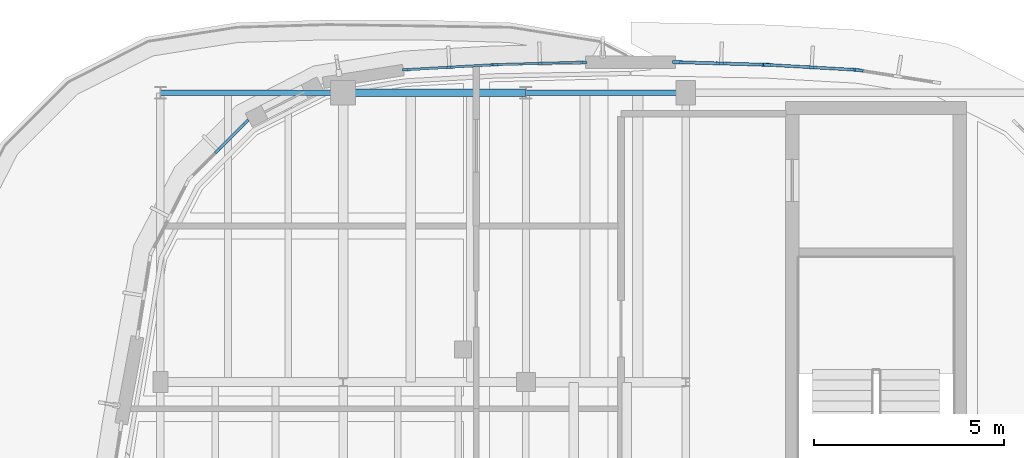
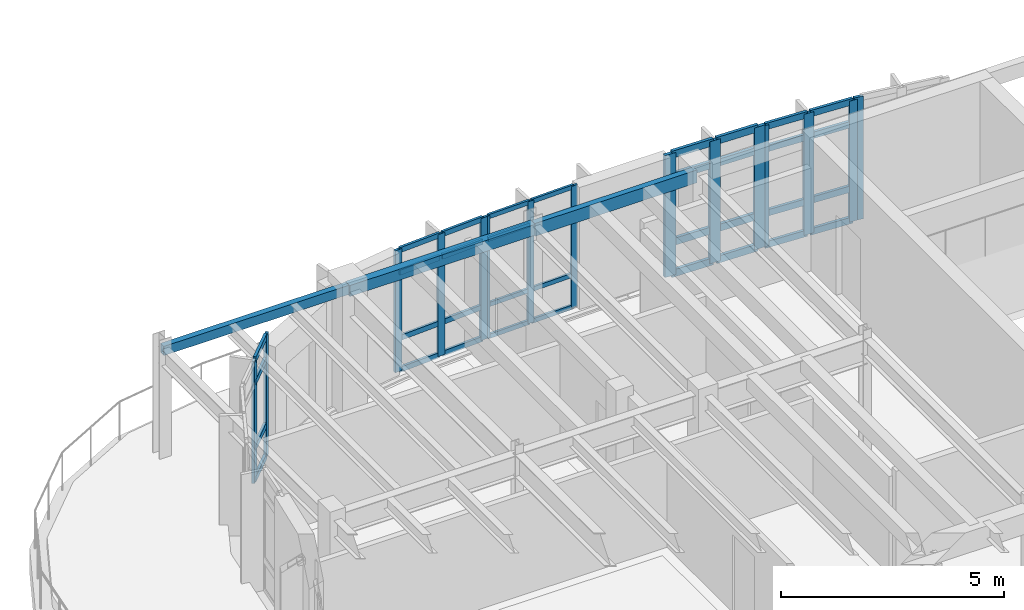
# One storey, part 14 of 30: 51 members, 3 beams, 6 elements without a shape of their own.
"""IFC4 building model written with IfcOpenShell, lengths in metres."""

from ifc_helpers import new_model, si_unit, direction, frame, origin, origin_2d, place, context, subcontext, project, spatial, rectangle, hollow_rectangle, extrude, material, material_profile, profile_set, type_object, element, aggregate, save


model = new_model("IFC4")

# Units and contexts
model_context = context("Model", 3, precision=1e-05, world=origin(), true_north=direction((0.0, 1.0)))
body_context = subcontext(model_context, "Body", "Model", "MODEL_VIEW")
ifc_project = project(units=[si_unit("LENGTHUNIT", "METRE"), si_unit("AREAUNIT", "SQUARE_METRE"), si_unit("VOLUMEUNIT", "CUBIC_METRE"), si_unit("PLANEANGLEUNIT", "RADIAN"), si_unit("MASSUNIT", "GRAM", prefix="KILO")], contexts=[model_context])

# Site, building, storey
site_placement = place(None, origin())
site = spatial("IfcSite", under=ifc_project, at=site_placement, CompositionType="ELEMENT")
building_placement = place(site_placement, origin())
building = spatial("IfcBuilding", under=site, at=building_placement, Name="Corveleigh Park Community Centre", CompositionType="ELEMENT")
storey_placement = place(building_placement, frame((0.0, 0.0, 12.60009765625)))
storey = spatial("IfcBuildingStorey", under=building, at=storey_placement, Name="L03", CompositionType="ELEMENT", Elevation=12.60009765625)

# Curtain wall, members
ifc_material_1 = material(Name="Anodised aluminium 6063-T6", Category="aluminium")
curtain_wall_type = type_object("IfcCurtainWallType", Name="CW-SYS-V4-L03", PredefinedType="NOTDEFINED", material=ifc_material_1)
curtain_wall_1_placement = place(storey_placement, origin())
curtain_wall_1 = element("IfcCurtainWall", 1, at=curtain_wall_1_placement, inside=storey, type_object=curtain_wall_type, Name="V4 L03 Curtain Wall 421", PredefinedType="NOTDEFINED")
ifc_material_profile_1 = material_profile(ifc_material_1, rectangle(XDim=0.06005859375, YDim=0.159912109375, at=origin_2d()), Name="ALU-M60x160", Category="aluminium")
ifc_profile_set_1 = profile_set([ifc_material_profile_1], Name="Anodised aluminium 6063-T6")
member_type_1 = type_object("IfcMemberType", Name="CWM-60x160", PredefinedType="MULLION", material=ifc_profile_set_1)
member_1_placement = place(storey_placement, frame((153.01708984375, 104.935791015625, 0.0), z_axis=(0.0, 0.0, 1.0), x_axis=(-0.028765070498, 0.999586199744, 0.0)))
member_1 = element("IfcMember", 2, at=member_1_placement, type_object=member_type_1, Name="CW09 mullion 1", PredefinedType="MULLION", context=body_context, shape_type="SweptSolid", body=[
    extrude(rectangle(XDim=0.06005859375, YDim=0.159912109375, at=origin_2d()), origin(), (0.0, 0.0, 1.0), 3.3369140625),
])
member_2_placement = place(storey_placement, frame((154.16845703125, 104.968994140625, 0.0), z_axis=(0.0, 0.0, 1.0), x_axis=(-0.028765070498, 0.999586199744, 0.0)))
member_2 = element("IfcMember", 3, at=member_2_placement, type_object=member_type_1, Name="CW09 mullion 2", PredefinedType="MULLION", context=body_context, shape_type="SweptSolid", body=[
    extrude(rectangle(XDim=0.06005859375, YDim=0.159912109375, at=origin_2d()), origin(), (0.0, 0.0, 1.0), 3.3369140625),
])
member_3_placement = place(storey_placement, frame((155.320068359375, 105.002197265625, 0.0), z_axis=(0.0, 0.0, 1.0), x_axis=(-0.028765070498, 0.999586199744, 0.0)))
member_3 = element("IfcMember", 4, at=member_3_placement, type_object=member_type_1, Name="CW09 mullion 3", PredefinedType="MULLION", context=body_context, shape_type="SweptSolid", body=[
    extrude(rectangle(XDim=0.06005859375, YDim=0.159912109375, at=origin_2d()), origin(), (0.0, 0.0, 1.0), 3.3369140625),
])

curtain_wall_2_placement = place(storey_placement, origin())
curtain_wall_2 = element("IfcCurtainWall", 5, at=curtain_wall_2_placement, inside=storey, type_object=curtain_wall_type, Name="V4 L03 Curtain Wall 422", PredefinedType="NOTDEFINED")
ifc_material_profile_2 = material_profile(ifc_material_1, rectangle(XDim=0.06494140625, YDim=0.179931640625, at=origin_2d()), Name="ALU-M65x180", Category="aluminium")
ifc_profile_set_2 = profile_set([ifc_material_profile_2], Name="Anodised aluminium 6063-T6")
member_type_2 = type_object("IfcMemberType", Name="CWM-65x180", PredefinedType="MULLION", material=ifc_profile_set_2)
member_4_placement = place(storey_placement, frame((150.6484375, 104.802734375, 0.0), z_axis=(0.0, 0.0, 1.0), x_axis=(-0.056433508651, 0.998406359706, 0.0)))
member_4 = element("IfcMember", 6, at=member_4_placement, type_object=member_type_2, Name="CW09 mullion 1", PredefinedType="MULLION", context=body_context, shape_type="SweptSolid", body=[
    extrude(rectangle(XDim=0.06494140625, YDim=0.179931640625, at=origin_2d()), origin(), (0.0, 0.0, 1.0), 3.3369140625),
])
member_5_placement = place(storey_placement, frame((151.79248046875, 104.867431640625, 0.0), z_axis=(0.0, 0.0, 1.0), x_axis=(-0.056433508651, 0.998406359706, 0.0)))
member_5 = element("IfcMember", 7, at=member_5_placement, type_object=member_type_2, Name="CW09 mullion 2", PredefinedType="MULLION", context=body_context, shape_type="SweptSolid", body=[
    extrude(rectangle(XDim=0.06494140625, YDim=0.179931640625, at=origin_2d()), origin(), (0.0, 0.0, 1.0), 3.3369140625),
])
member_6_placement = place(storey_placement, frame((152.9365234375, 104.93212890625, 0.0), z_axis=(0.0, 0.0, 1.0), x_axis=(-0.056433508651, 0.998406359706, 0.0)))
member_6 = element("IfcMember", 8, at=member_6_placement, type_object=member_type_2, Name="CW09 mullion 3", PredefinedType="MULLION", context=body_context, shape_type="SweptSolid", body=[
    extrude(rectangle(XDim=0.06494140625, YDim=0.179931640625, at=origin_2d()), origin(), (0.0, 0.0, 1.0), 3.3369140625),
])

curtain_wall_3_placement = place(storey_placement, origin())
curtain_wall_3 = element("IfcCurtainWall", 9, at=curtain_wall_3_placement, inside=storey, type_object=curtain_wall_type, Name="V4 L03 Curtain Wall 423", PredefinedType="NOTDEFINED")
ifc_material_profile_3 = material_profile(ifc_material_1, rectangle(XDim=0.070068359375, YDim=0.199951171875, at=origin_2d()), Name="ALU-M70x200", Category="aluminium")
ifc_profile_set_3 = profile_set([ifc_material_profile_3], Name="Anodised aluminium 6063-T6")
member_type_3 = type_object("IfcMemberType", Name="CWM-70x200", PredefinedType="MULLION", material=ifc_profile_set_3)
member_7_placement = place(storey_placement, frame((145.71142578125, 102.6884765625, 0.0), z_axis=(0.0, 0.0, 1.0), x_axis=(-0.707106781187, 0.707106781187, 0.0)))
member_7 = element("IfcMember", 10, at=member_7_placement, type_object=member_type_3, Name="CW09 mullion 2", PredefinedType="MULLION", context=body_context, shape_type="SweptSolid", body=[
    extrude(rectangle(XDim=0.070068359375, YDim=0.199951171875, at=origin_2d()), origin(), (0.0, 0.0, 1.0), 3.3369140625),
])
member_8_placement = place(storey_placement, frame((146.434326171875, 103.4111328125, 0.0), z_axis=(0.0, 0.0, 1.0), x_axis=(-0.707106781187, 0.707106781187, 0.0)))
member_8 = element("IfcMember", 11, at=member_8_placement, type_object=member_type_3, Name="CW09 mullion 3", PredefinedType="MULLION", context=body_context, shape_type="SweptSolid", body=[
    extrude(rectangle(XDim=0.070068359375, YDim=0.199951171875, at=origin_2d()), origin(), (0.0, 0.0, 1.0), 3.3369140625),
])

# Curtain wall, member
curtain_wall_4_placement = place(storey_placement, origin())
curtain_wall_4 = element("IfcCurtainWall", 12, at=curtain_wall_4_placement, inside=storey, type_object=curtain_wall_type, Name="V4 L03 Curtain Wall 418", PredefinedType="NOTDEFINED")
ifc_material_profile_4 = material_profile(ifc_material_1, rectangle(XDim=0.074951171875, YDim=0.219970703125, at=origin_2d()), Name="ALU-M75x220", Category="aluminium")
ifc_profile_set_4 = profile_set([ifc_material_profile_4], Name="Anodised aluminium 6063-T6")
member_type_4 = type_object("IfcMemberType", Name="CWM-75x220", PredefinedType="MULLION", material=ifc_profile_set_4)
member_9_placement = place(storey_placement, frame((162.552978515625, 104.791015625, 0.0), z_axis=(0.0, 0.0, 1.0), x_axis=(0.156419486996, 0.987690712768, 0.0)))
member_9 = element("IfcMember", 13, at=member_9_placement, type_object=member_type_4, Name="CW09 mullion 1", PredefinedType="MULLION", context=body_context, shape_type="SweptSolid", body=[
    extrude(rectangle(XDim=0.074951171875, YDim=0.219970703125, at=origin_2d()), origin(), (0.0, 0.0, 1.0), 3.35693359375),
])
aggregate(curtain_wall_4, [member_9])

# Curtain wall, members
curtain_wall_5_placement = place(storey_placement, origin())
curtain_wall_5 = element("IfcCurtainWall", 14, at=curtain_wall_5_placement, inside=storey, type_object=curtain_wall_type, Name="V4 L03 Curtain Wall 419", PredefinedType="NOTDEFINED")
ifc_material_profile_5 = material_profile(ifc_material_1, rectangle(XDim=0.080078125, YDim=0.25, at=origin_2d()), Name="ALU-M80x250", Category="aluminium")
ifc_profile_set_5 = profile_set([ifc_material_profile_5], Name="Anodised aluminium 6063-T6")
member_type_5 = type_object("IfcMemberType", Name="CWM-80x250", PredefinedType="MULLION", material=ifc_profile_set_5)
member_10_placement = place(storey_placement, frame((160.1708984375, 104.931640625, 0.0), z_axis=(0.0, 0.0, 1.0), x_axis=(0.056433508651, 0.998406359706, 0.0)))
member_10 = element("IfcMember", 15, at=member_10_placement, type_object=member_type_5, Name="CW09 mullion 1", PredefinedType="MULLION", context=body_context, shape_type="SweptSolid", body=[
    extrude(rectangle(XDim=0.080078125, YDim=0.25, at=origin_2d()), origin(), (0.0, 0.0, 1.0), 3.31201171875),
])
member_11_placement = place(storey_placement, frame((161.3076171875, 104.867431640625, 0.0), z_axis=(0.0, 0.0, 1.0), x_axis=(0.056433508651, 0.998406359706, 0.0)))
member_11 = element("IfcMember", 16, at=member_11_placement, type_object=member_type_5, Name="CW09 mullion 2", PredefinedType="MULLION", context=body_context, shape_type="SweptSolid", body=[
    extrude(rectangle(XDim=0.080078125, YDim=0.25, at=origin_2d()), origin(), (0.0, 0.0, 1.0), 3.31201171875),
])
member_12_placement = place(storey_placement, frame((162.444091796875, 104.80322265625, 0.0), z_axis=(0.0, 0.0, 1.0), x_axis=(0.056433508651, 0.998406359706, 0.0)))
member_12 = element("IfcMember", 17, at=member_12_placement, type_object=member_type_5, Name="CW09 mullion 3", PredefinedType="MULLION", context=body_context, shape_type="SweptSolid", body=[
    extrude(rectangle(XDim=0.080078125, YDim=0.25, at=origin_2d()), origin(), (0.0, 0.0, 1.0), 3.31201171875),
])

curtain_wall_6_placement = place(storey_placement, origin())
curtain_wall_6 = element("IfcCurtainWall", 18, at=curtain_wall_6_placement, inside=storey, type_object=curtain_wall_type, Name="V4 L03 Curtain Wall 420", PredefinedType="NOTDEFINED")
ifc_material_profile_6 = material_profile(ifc_material_1, rectangle(XDim=0.0849609375, YDim=0.27490234375, at=origin_2d()), Name="ALU-M85x275", Category="aluminium")
ifc_profile_set_6 = profile_set([ifc_material_profile_6], Name="Anodised aluminium 6063-T6")
member_type_6 = type_object("IfcMemberType", Name="CWM-85x275", PredefinedType="MULLION", material=ifc_profile_set_6)
member_13_placement = place(storey_placement, frame((157.79248046875, 105.001708984375, 0.0), z_axis=(0.0, 0.0, 1.0), x_axis=(0.028765070498, 0.999586199744, 0.0)))
member_13 = element("IfcMember", 19, at=member_13_placement, type_object=member_type_6, Name="CW09 mullion 1", PredefinedType="MULLION", context=body_context, shape_type="SweptSolid", body=[
    extrude(rectangle(XDim=0.0849609375, YDim=0.27490234375, at=origin_2d()), origin(), (0.0, 0.0, 1.0), 3.3369140625),
])
member_14_placement = place(storey_placement, frame((158.931396484375, 104.968994140625, 0.0), z_axis=(0.0, 0.0, 1.0), x_axis=(0.028765070498, 0.999586199744, 0.0)))
member_14 = element("IfcMember", 20, at=member_14_placement, type_object=member_type_6, Name="CW09 mullion 2", PredefinedType="MULLION", context=body_context, shape_type="SweptSolid", body=[
    extrude(rectangle(XDim=0.0849609375, YDim=0.27490234375, at=origin_2d()), origin(), (0.0, 0.0, 1.0), 3.3369140625),
])
member_15_placement = place(storey_placement, frame((160.070556640625, 104.936279296875, 0.0), z_axis=(0.0, 0.0, 1.0), x_axis=(0.028765070498, 0.999586199744, 0.0)))
member_15 = element("IfcMember", 21, at=member_15_placement, type_object=member_type_6, Name="CW09 mullion 3", PredefinedType="MULLION", context=body_context, shape_type="SweptSolid", body=[
    extrude(rectangle(XDim=0.0849609375, YDim=0.27490234375, at=origin_2d()), origin(), (0.0, 0.0, 1.0), 3.3369140625),
])

# Member
ifc_material_profile_7 = material_profile(ifc_material_1, rectangle(XDim=0.06005859375, YDim=0.1201171875, at=origin_2d()), Name="ALU-T60x120", Category="aluminium")
ifc_profile_set_7 = profile_set([ifc_material_profile_7], Name="Anodised aluminium 6063-T6")
member_type_7 = type_object("IfcMemberType", Name="CWT-60x120", PredefinedType="USERDEFINED", material=ifc_profile_set_7)
member_16_placement = place(storey_placement, frame((153.046875, 104.936767578125, 0.02978515625), z_axis=(0.99959044358, 0.028617216904, 0.0), x_axis=(-0.028617216904, 0.99959044358, 0.0)))
member_16 = element("IfcMember", 22, at=member_16_placement, type_object=member_type_7, Name="CW09 transom 1.1", ObjectType="TRANSOM", PredefinedType="USERDEFINED", context=body_context, shape_type="SweptSolid", body=[
    extrude(rectangle(XDim=0.06005859375, YDim=0.1201171875, at=origin_2d()), origin(), (0.0, 0.0, 1.0), 1.092041015625),
])

member_17_placement = place(storey_placement, frame((153.046875, 104.936767578125, 0.89990234375), z_axis=(0.99959044358, 0.028617216904, 0.0), x_axis=(-0.028617216904, 0.99959044358, 0.0)))
member_17 = element("IfcMember", 23, at=member_17_placement, type_object=member_type_7, Name="CW09 transom 1.2", ObjectType="TRANSOM", PredefinedType="USERDEFINED", context=body_context, shape_type="SweptSolid", body=[
    extrude(rectangle(XDim=0.06005859375, YDim=0.1201171875, at=origin_2d()), origin(), (0.0, 0.0, 1.0), 1.092041015625),
])

member_18_placement = place(storey_placement, frame((153.046875, 104.936767578125, 2.68701171875), z_axis=(0.99959044358, 0.028617216904, 0.0), x_axis=(-0.028617216904, 0.99959044358, 0.0)))
member_18 = element("IfcMember", 24, at=member_18_placement, type_object=member_type_7, Name="CW09 transom 1.3", ObjectType="TRANSOM", PredefinedType="USERDEFINED", context=body_context, shape_type="SweptSolid", body=[
    extrude(rectangle(XDim=0.06005859375, YDim=0.1201171875, at=origin_2d()), origin(), (0.0, 0.0, 1.0), 1.092041015625),
])

member_19_placement = place(storey_placement, frame((153.046875, 104.936767578125, 3.306884765625), z_axis=(0.99959044358, 0.028617216904, 0.0), x_axis=(-0.028617216904, 0.99959044358, 0.0)))
member_19 = element("IfcMember", 25, at=member_19_placement, type_object=member_type_7, Name="CW09 transom 1.4", ObjectType="TRANSOM", PredefinedType="USERDEFINED", context=body_context, shape_type="SweptSolid", body=[
    extrude(rectangle(XDim=0.06005859375, YDim=0.1201171875, at=origin_2d()), origin(), (0.0, 0.0, 1.0), 1.092041015625),
])

member_20_placement = place(storey_placement, frame((154.198486328125, 104.969970703125, 0.02978515625), z_axis=(0.99959044358, 0.028617216904, 0.0), x_axis=(-0.028617216904, 0.99959044358, 0.0)))
member_20 = element("IfcMember", 26, at=member_20_placement, type_object=member_type_7, Name="CW09 transom 2.1", ObjectType="TRANSOM", PredefinedType="USERDEFINED", context=body_context, shape_type="SweptSolid", body=[
    extrude(rectangle(XDim=0.06005859375, YDim=0.1201171875, at=origin_2d()), origin(), (0.0, 0.0, 1.0), 1.092041015625),
])

member_21_placement = place(storey_placement, frame((154.198486328125, 104.969970703125, 0.89990234375), z_axis=(0.99959044358, 0.028617216904, 0.0), x_axis=(-0.028617216904, 0.99959044358, 0.0)))
member_21 = element("IfcMember", 27, at=member_21_placement, type_object=member_type_7, Name="CW09 transom 2.2", ObjectType="TRANSOM", PredefinedType="USERDEFINED", context=body_context, shape_type="SweptSolid", body=[
    extrude(rectangle(XDim=0.06005859375, YDim=0.1201171875, at=origin_2d()), origin(), (0.0, 0.0, 1.0), 1.092041015625),
])

member_22_placement = place(storey_placement, frame((154.198486328125, 104.969970703125, 2.68701171875), z_axis=(0.99959044358, 0.028617216904, 0.0), x_axis=(-0.028617216904, 0.99959044358, 0.0)))
member_22 = element("IfcMember", 28, at=member_22_placement, type_object=member_type_7, Name="CW09 transom 2.3", ObjectType="TRANSOM", PredefinedType="USERDEFINED", context=body_context, shape_type="SweptSolid", body=[
    extrude(rectangle(XDim=0.06005859375, YDim=0.1201171875, at=origin_2d()), origin(), (0.0, 0.0, 1.0), 1.092041015625),
])

member_23_placement = place(storey_placement, frame((154.198486328125, 104.969970703125, 3.306884765625), z_axis=(0.99959044358, 0.028617216904, 0.0), x_axis=(-0.028617216904, 0.99959044358, 0.0)))
member_23 = element("IfcMember", 29, at=member_23_placement, type_object=member_type_7, Name="CW09 transom 2.4", ObjectType="TRANSOM", PredefinedType="USERDEFINED", context=body_context, shape_type="SweptSolid", body=[
    extrude(rectangle(XDim=0.06005859375, YDim=0.1201171875, at=origin_2d()), origin(), (0.0, 0.0, 1.0), 1.092041015625),
])

aggregate(curtain_wall_1, [member_1, member_2, member_3, member_16, member_17, member_18, member_19, member_20, member_21, member_22, member_23])

ifc_material_profile_8 = material_profile(ifc_material_1, rectangle(XDim=0.06494140625, YDim=0.139892578125, at=origin_2d()), Name="ALU-T65x140", Category="aluminium")
ifc_profile_set_8 = profile_set([ifc_material_profile_8], Name="Anodised aluminium 6063-T6")
member_type_8 = type_object("IfcMemberType", Name="CWT-65x140", PredefinedType="USERDEFINED", material=ifc_profile_set_8)
member_24_placement = place(storey_placement, frame((150.680908203125, 104.8046875, 0.032470703125), z_axis=(0.998404249549, 0.056470828594, 0.0), x_axis=(-0.056470828594, 0.998404249549, 0.0)))
member_24 = element("IfcMember", 30, at=member_24_placement, type_object=member_type_8, Name="CW09 transom 1.1", ObjectType="TRANSOM", PredefinedType="USERDEFINED", context=body_context, shape_type="SweptSolid", body=[
    extrude(rectangle(XDim=0.06494140625, YDim=0.139892578125, at=origin_2d()), origin(), (0.0, 0.0, 1.0), 1.080810546875),
])

member_25_placement = place(storey_placement, frame((150.680908203125, 104.8046875, 0.89990234375), z_axis=(0.998404249549, 0.056470828594, 0.0), x_axis=(-0.056470828594, 0.998404249549, 0.0)))
member_25 = element("IfcMember", 31, at=member_25_placement, type_object=member_type_8, Name="CW09 transom 1.2", ObjectType="TRANSOM", PredefinedType="USERDEFINED", context=body_context, shape_type="SweptSolid", body=[
    extrude(rectangle(XDim=0.06494140625, YDim=0.139892578125, at=origin_2d()), origin(), (0.0, 0.0, 1.0), 1.080810546875),
])

member_26_placement = place(storey_placement, frame((150.680908203125, 104.8046875, 2.68701171875), z_axis=(0.998404249549, 0.056470828594, 0.0), x_axis=(-0.056470828594, 0.998404249549, 0.0)))
member_26 = element("IfcMember", 32, at=member_26_placement, type_object=member_type_8, Name="CW09 transom 1.3", ObjectType="TRANSOM", PredefinedType="USERDEFINED", context=body_context, shape_type="SweptSolid", body=[
    extrude(rectangle(XDim=0.06494140625, YDim=0.139892578125, at=origin_2d()), origin(), (0.0, 0.0, 1.0), 1.080810546875),
])

member_27_placement = place(storey_placement, frame((150.680908203125, 104.8046875, 3.304443359375), z_axis=(0.998404249549, 0.056470828594, 0.0), x_axis=(-0.056470828594, 0.998404249549, 0.0)))
member_27 = element("IfcMember", 33, at=member_27_placement, type_object=member_type_8, Name="CW09 transom 1.4", ObjectType="TRANSOM", PredefinedType="USERDEFINED", context=body_context, shape_type="SweptSolid", body=[
    extrude(rectangle(XDim=0.06494140625, YDim=0.139892578125, at=origin_2d()), origin(), (0.0, 0.0, 1.0), 1.080810546875),
])

member_28_placement = place(storey_placement, frame((151.824951171875, 104.869384765625, 0.032470703125), z_axis=(0.998404249549, 0.056470828594, 0.0), x_axis=(-0.056470828594, 0.998404249549, 0.0)))
member_28 = element("IfcMember", 34, at=member_28_placement, type_object=member_type_8, Name="CW09 transom 2.1", ObjectType="TRANSOM", PredefinedType="USERDEFINED", context=body_context, shape_type="SweptSolid", body=[
    extrude(rectangle(XDim=0.06494140625, YDim=0.139892578125, at=origin_2d()), origin(), (0.0, 0.0, 1.0), 1.080810546875),
])

member_29_placement = place(storey_placement, frame((151.824951171875, 104.869384765625, 0.89990234375), z_axis=(0.998404249549, 0.056470828594, 0.0), x_axis=(-0.056470828594, 0.998404249549, 0.0)))
member_29 = element("IfcMember", 35, at=member_29_placement, type_object=member_type_8, Name="CW09 transom 2.2", ObjectType="TRANSOM", PredefinedType="USERDEFINED", context=body_context, shape_type="SweptSolid", body=[
    extrude(rectangle(XDim=0.06494140625, YDim=0.139892578125, at=origin_2d()), origin(), (0.0, 0.0, 1.0), 1.080810546875),
])

member_30_placement = place(storey_placement, frame((151.824951171875, 104.869384765625, 2.68701171875), z_axis=(0.998404249549, 0.056470828594, 0.0), x_axis=(-0.056470828594, 0.998404249549, 0.0)))
member_30 = element("IfcMember", 36, at=member_30_placement, type_object=member_type_8, Name="CW09 transom 2.3", ObjectType="TRANSOM", PredefinedType="USERDEFINED", context=body_context, shape_type="SweptSolid", body=[
    extrude(rectangle(XDim=0.06494140625, YDim=0.139892578125, at=origin_2d()), origin(), (0.0, 0.0, 1.0), 1.080810546875),
])

member_31_placement = place(storey_placement, frame((151.824951171875, 104.869384765625, 3.304443359375), z_axis=(0.998404249549, 0.056470828594, 0.0), x_axis=(-0.056470828594, 0.998404249549, 0.0)))
member_31 = element("IfcMember", 37, at=member_31_placement, type_object=member_type_8, Name="CW09 transom 2.4", ObjectType="TRANSOM", PredefinedType="USERDEFINED", context=body_context, shape_type="SweptSolid", body=[
    extrude(rectangle(XDim=0.06494140625, YDim=0.139892578125, at=origin_2d()), origin(), (0.0, 0.0, 1.0), 1.080810546875),
])

aggregate(curtain_wall_2, [member_4, member_5, member_6, member_24, member_25, member_26, member_27, member_28, member_29, member_30, member_31])

ifc_material_profile_9 = material_profile(ifc_material_1, rectangle(XDim=0.070068359375, YDim=0.155029296875, at=origin_2d()), Name="ALU-T70x155", Category="aluminium")
ifc_profile_set_9 = profile_set([ifc_material_profile_9], Name="Anodised aluminium 6063-T6")
member_type_9 = type_object("IfcMemberType", Name="CWT-70x155", PredefinedType="USERDEFINED", material=ifc_profile_set_9)
member_32_placement = place(storey_placement, frame((145.736328125, 102.713134765625, 0.034912109375), z_axis=(0.706978554373, 0.707234984752, 0.0), x_axis=(-0.707234984752, 0.706978554373, 0.0)))
member_32 = element("IfcMember", 38, at=member_32_placement, type_object=member_type_9, Name="CW09 transom 2.1", ObjectType="TRANSOM", PredefinedType="USERDEFINED", context=body_context, shape_type="SweptSolid", body=[
    extrude(rectangle(XDim=0.070068359375, YDim=0.155029296875, at=origin_2d()), origin(), (0.0, 0.0, 1.0), 0.9521484375),
])

member_33_placement = place(storey_placement, frame((145.736328125, 102.713134765625, 0.89990234375), z_axis=(0.706978554373, 0.707234984752, 0.0), x_axis=(-0.707234984752, 0.706978554373, 0.0)))
member_33 = element("IfcMember", 39, at=member_33_placement, type_object=member_type_9, Name="CW09 transom 2.2", ObjectType="TRANSOM", PredefinedType="USERDEFINED", context=body_context, shape_type="SweptSolid", body=[
    extrude(rectangle(XDim=0.070068359375, YDim=0.155029296875, at=origin_2d()), origin(), (0.0, 0.0, 1.0), 0.9521484375),
])

member_34_placement = place(storey_placement, frame((145.736328125, 102.713134765625, 2.68701171875), z_axis=(0.706978554373, 0.707234984752, 0.0), x_axis=(-0.707234984752, 0.706978554373, 0.0)))
member_34 = element("IfcMember", 40, at=member_34_placement, type_object=member_type_9, Name="CW09 transom 2.3", ObjectType="TRANSOM", PredefinedType="USERDEFINED", context=body_context, shape_type="SweptSolid", body=[
    extrude(rectangle(XDim=0.070068359375, YDim=0.155029296875, at=origin_2d()), origin(), (0.0, 0.0, 1.0), 0.9521484375),
])

member_35_placement = place(storey_placement, frame((145.736328125, 102.713134765625, 3.302001953125), z_axis=(0.706978554373, 0.707234984752, 0.0), x_axis=(-0.707234984752, 0.706978554373, 0.0)))
member_35 = element("IfcMember", 41, at=member_35_placement, type_object=member_type_9, Name="CW09 transom 2.4", ObjectType="TRANSOM", PredefinedType="USERDEFINED", context=body_context, shape_type="SweptSolid", body=[
    extrude(rectangle(XDim=0.070068359375, YDim=0.155029296875, at=origin_2d()), origin(), (0.0, 0.0, 1.0), 0.9521484375),
])

aggregate(curtain_wall_3, [member_7, member_8, member_32, member_33, member_34, member_35])

ifc_material_profile_10 = material_profile(ifc_material_1, rectangle(XDim=0.074951171875, YDim=0.175048828125, at=origin_2d()), Name="ALU-T75x175", Category="aluminium")
ifc_profile_set_10 = profile_set([ifc_material_profile_10], Name="Anodised aluminium 6063-T6")
member_type_10 = type_object("IfcMemberType", Name="CWT-75x175", PredefinedType="USERDEFINED", material=ifc_profile_set_10)
member_36_placement = place(storey_placement, frame((160.2109375, 104.929443359375, 0.037353515625), z_axis=(0.998414590724, -0.056287698738, 0.0), x_axis=(0.056287698738, 0.998414590724, 0.0)))
member_36 = element("IfcMember", 42, at=member_36_placement, type_object=member_type_10, Name="CW09 transom 1.1", ObjectType="TRANSOM", PredefinedType="USERDEFINED", context=body_context, shape_type="SweptSolid", body=[
    extrude(rectangle(XDim=0.074951171875, YDim=0.175048828125, at=origin_2d()), origin(), (0.0, 0.0, 1.0), 1.058349609375),
])

member_37_placement = place(storey_placement, frame((160.2109375, 104.929443359375, 0.89990234375), z_axis=(0.998414590724, -0.056287698738, 0.0), x_axis=(0.056287698738, 0.998414590724, 0.0)))
member_37 = element("IfcMember", 43, at=member_37_placement, type_object=member_type_10, Name="CW09 transom 1.2", ObjectType="TRANSOM", PredefinedType="USERDEFINED", context=body_context, shape_type="SweptSolid", body=[
    extrude(rectangle(XDim=0.074951171875, YDim=0.175048828125, at=origin_2d()), origin(), (0.0, 0.0, 1.0), 1.058349609375),
])

member_38_placement = place(storey_placement, frame((160.2109375, 104.929443359375, 2.661865234375), z_axis=(0.998414590724, -0.056287698738, 0.0), x_axis=(0.056287698738, 0.998414590724, 0.0)))
member_38 = element("IfcMember", 44, at=member_38_placement, type_object=member_type_10, Name="CW09 transom 1.3", ObjectType="TRANSOM", PredefinedType="USERDEFINED", context=body_context, shape_type="SweptSolid", body=[
    extrude(rectangle(XDim=0.074951171875, YDim=0.175048828125, at=origin_2d()), origin(), (0.0, 0.0, 1.0), 1.058349609375),
])

member_39_placement = place(storey_placement, frame((160.2109375, 104.929443359375, 3.2744140625), z_axis=(0.998414590724, -0.056287698738, 0.0), x_axis=(0.056287698738, 0.998414590724, 0.0)))
member_39 = element("IfcMember", 45, at=member_39_placement, type_object=member_type_10, Name="CW09 transom 1.4", ObjectType="TRANSOM", PredefinedType="USERDEFINED", context=body_context, shape_type="SweptSolid", body=[
    extrude(rectangle(XDim=0.074951171875, YDim=0.175048828125, at=origin_2d()), origin(), (0.0, 0.0, 1.0), 1.058349609375),
])

member_40_placement = place(storey_placement, frame((161.347412109375, 104.865234375, 0.037353515625), z_axis=(0.998401600141, -0.056517650655, 0.0), x_axis=(0.056517650655, 0.998401600141, 0.0)))
member_40 = element("IfcMember", 46, at=member_40_placement, type_object=member_type_10, Name="CW09 transom 2.1", ObjectType="TRANSOM", PredefinedType="USERDEFINED", context=body_context, shape_type="SweptSolid", body=[
    extrude(rectangle(XDim=0.074951171875, YDim=0.175048828125, at=origin_2d()), origin(), (0.0, 0.0, 1.0), 1.058349609375),
])

member_41_placement = place(storey_placement, frame((161.347412109375, 104.865234375, 0.89990234375), z_axis=(0.998401600141, -0.056517650655, 0.0), x_axis=(0.056517650655, 0.998401600141, 0.0)))
member_41 = element("IfcMember", 47, at=member_41_placement, type_object=member_type_10, Name="CW09 transom 2.2", ObjectType="TRANSOM", PredefinedType="USERDEFINED", context=body_context, shape_type="SweptSolid", body=[
    extrude(rectangle(XDim=0.074951171875, YDim=0.175048828125, at=origin_2d()), origin(), (0.0, 0.0, 1.0), 1.058349609375),
])

member_42_placement = place(storey_placement, frame((161.347412109375, 104.865234375, 2.661865234375), z_axis=(0.998401600141, -0.056517650655, 0.0), x_axis=(0.056517650655, 0.998401600141, 0.0)))
member_42 = element("IfcMember", 48, at=member_42_placement, type_object=member_type_10, Name="CW09 transom 2.3", ObjectType="TRANSOM", PredefinedType="USERDEFINED", context=body_context, shape_type="SweptSolid", body=[
    extrude(rectangle(XDim=0.074951171875, YDim=0.175048828125, at=origin_2d()), origin(), (0.0, 0.0, 1.0), 1.058349609375),
])

member_43_placement = place(storey_placement, frame((161.347412109375, 104.865234375, 3.2744140625), z_axis=(0.998401600141, -0.056517650655, 0.0), x_axis=(0.056517650655, 0.998401600141, 0.0)))
member_43 = element("IfcMember", 49, at=member_43_placement, type_object=member_type_10, Name="CW09 transom 2.4", ObjectType="TRANSOM", PredefinedType="USERDEFINED", context=body_context, shape_type="SweptSolid", body=[
    extrude(rectangle(XDim=0.074951171875, YDim=0.175048828125, at=origin_2d()), origin(), (0.0, 0.0, 1.0), 1.058349609375),
])

aggregate(curtain_wall_5, [member_10, member_11, member_12, member_36, member_37, member_38, member_39, member_40, member_41, member_42, member_43])

ifc_material_profile_11 = material_profile(ifc_material_1, rectangle(XDim=0.080078125, YDim=0.195068359375, at=origin_2d()), Name="ALU-T80x195", Category="aluminium")
ifc_profile_set_11 = profile_set([ifc_material_profile_11], Name="Anodised aluminium 6063-T6")
member_type_11 = type_object("IfcMemberType", Name="CWT-80x195", PredefinedType="USERDEFINED", material=ifc_profile_set_11)
member_44_placement = place(storey_placement, frame((157.8349609375, 105.00048828125, 0.039794921875), z_axis=(0.999587731034, -0.028711808814, 0.0), x_axis=(0.028711808814, 0.999587731034, 0.0)))
member_44 = element("IfcMember", 50, at=member_44_placement, type_object=member_type_11, Name="CW09 transom 1.1", ObjectType="TRANSOM", PredefinedType="USERDEFINED", context=body_context, shape_type="SweptSolid", body=[
    extrude(rectangle(XDim=0.080078125, YDim=0.195068359375, at=origin_2d()), origin(), (0.0, 0.0, 1.0), 1.054443359375),
])

member_45_placement = place(storey_placement, frame((157.8349609375, 105.00048828125, 0.89990234375), z_axis=(0.999587731034, -0.028711808814, 0.0), x_axis=(0.028711808814, 0.999587731034, 0.0)))
member_45 = element("IfcMember", 51, at=member_45_placement, type_object=member_type_11, Name="CW09 transom 1.2", ObjectType="TRANSOM", PredefinedType="USERDEFINED", context=body_context, shape_type="SweptSolid", body=[
    extrude(rectangle(XDim=0.080078125, YDim=0.195068359375, at=origin_2d()), origin(), (0.0, 0.0, 1.0), 1.054443359375),
])

member_46_placement = place(storey_placement, frame((157.8349609375, 105.00048828125, 2.68701171875), z_axis=(0.999587731034, -0.028711808814, 0.0), x_axis=(0.028711808814, 0.999587731034, 0.0)))
member_46 = element("IfcMember", 52, at=member_46_placement, type_object=member_type_11, Name="CW09 transom 1.3", ObjectType="TRANSOM", PredefinedType="USERDEFINED", context=body_context, shape_type="SweptSolid", body=[
    extrude(rectangle(XDim=0.080078125, YDim=0.195068359375, at=origin_2d()), origin(), (0.0, 0.0, 1.0), 1.054443359375),
])

member_47_placement = place(storey_placement, frame((157.8349609375, 105.00048828125, 3.296875), z_axis=(0.999587731034, -0.028711808814, 0.0), x_axis=(0.028711808814, 0.999587731034, 0.0)))
member_47 = element("IfcMember", 53, at=member_47_placement, type_object=member_type_11, Name="CW09 transom 1.4", ObjectType="TRANSOM", PredefinedType="USERDEFINED", context=body_context, shape_type="SweptSolid", body=[
    extrude(rectangle(XDim=0.080078125, YDim=0.195068359375, at=origin_2d()), origin(), (0.0, 0.0, 1.0), 1.054443359375),
])

member_48_placement = place(storey_placement, frame((158.973876953125, 104.9677734375, 0.039794921875), z_axis=(0.999587921848, -0.028705164963, 0.0), x_axis=(0.028705164963, 0.999587921848, 0.0)))
member_48 = element("IfcMember", 54, at=member_48_placement, type_object=member_type_11, Name="CW09 transom 2.1", ObjectType="TRANSOM", PredefinedType="USERDEFINED", context=body_context, shape_type="SweptSolid", body=[
    extrude(rectangle(XDim=0.080078125, YDim=0.195068359375, at=origin_2d()), origin(), (0.0, 0.0, 1.0), 1.0546875),
])

member_49_placement = place(storey_placement, frame((158.973876953125, 104.9677734375, 0.89990234375), z_axis=(0.999587921848, -0.028705164963, 0.0), x_axis=(0.028705164963, 0.999587921848, 0.0)))
member_49 = element("IfcMember", 55, at=member_49_placement, type_object=member_type_11, Name="CW09 transom 2.2", ObjectType="TRANSOM", PredefinedType="USERDEFINED", context=body_context, shape_type="SweptSolid", body=[
    extrude(rectangle(XDim=0.080078125, YDim=0.195068359375, at=origin_2d()), origin(), (0.0, 0.0, 1.0), 1.0546875),
])

member_50_placement = place(storey_placement, frame((158.973876953125, 104.9677734375, 2.68701171875), z_axis=(0.999587921848, -0.028705164963, 0.0), x_axis=(0.028705164963, 0.999587921848, 0.0)))
member_50 = element("IfcMember", 56, at=member_50_placement, type_object=member_type_11, Name="CW09 transom 2.3", ObjectType="TRANSOM", PredefinedType="USERDEFINED", context=body_context, shape_type="SweptSolid", body=[
    extrude(rectangle(XDim=0.080078125, YDim=0.195068359375, at=origin_2d()), origin(), (0.0, 0.0, 1.0), 1.0546875),
])

member_51_placement = place(storey_placement, frame((158.973876953125, 104.9677734375, 3.296875), z_axis=(0.999587921848, -0.028705164963, 0.0), x_axis=(0.028705164963, 0.999587921848, 0.0)))
member_51 = element("IfcMember", 57, at=member_51_placement, type_object=member_type_11, Name="CW09 transom 2.4", ObjectType="TRANSOM", PredefinedType="USERDEFINED", context=body_context, shape_type="SweptSolid", body=[
    extrude(rectangle(XDim=0.080078125, YDim=0.195068359375, at=origin_2d()), origin(), (0.0, 0.0, 1.0), 1.0546875),
])

aggregate(curtain_wall_6, [member_13, member_14, member_15, member_44, member_45, member_46, member_47, member_48, member_49, member_50, member_51])

# Beams
ifc_material_2 = material(Name="Steel S355", Category="steel")
ifc_material_profile_12 = material_profile(ifc_material_2, hollow_rectangle(XDim=0.14990234375, YDim=0.25, WallThickness=0.010009765625, at=origin_2d()), Name="RHS 250x150x10.0", Category="steel")
ifc_profile_set_12 = profile_set([ifc_material_profile_12], Name="Steel S355")
beam_type_1 = type_object("IfcBeamType", Name="SP-STL-RHS250x150", PredefinedType="SPANDREL", material=ifc_profile_set_12)
beam_1_placement = place(storey_placement, frame((144.205078125, 104.199951171875, 3.2119140625), z_axis=(1.0, 0.0, 0.0), x_axis=(0.0, 1.0, 0.0)))
element("IfcBeam", 58, at=beam_1_placement, inside=storey, type_object=beam_type_1, Name="V4 Girder X", PredefinedType="SPANDREL", context=body_context, shape_type="SweptSolid", body=[
    extrude(hollow_rectangle(XDim=0.14990234375, YDim=0.25, WallThickness=0.010009765625, at=origin_2d()), origin(), (0.0, 0.0, 1.0), 4.7900390625),
])
ifc_material_profile_13 = material_profile(ifc_material_2, hollow_rectangle(XDim=0.199951171875, YDim=0.300048828125, WallThickness=0.012451171875, at=origin_2d()), Name="RHS 300x200x12.5", Category="steel")
ifc_profile_set_13 = profile_set([ifc_material_profile_13], Name="Steel S355")
beam_type_2 = type_object("IfcBeamType", Name="SP-STL-RHS300x200", PredefinedType="SPANDREL", material=ifc_profile_set_13)
beam_2_placement = place(storey_placement, frame((149.0048828125, 104.199951171875, 3.18701171875), z_axis=(1.0, 0.0, 0.0), x_axis=(0.0, 1.0, 0.0)))
element("IfcBeam", 59, at=beam_2_placement, inside=storey, type_object=beam_type_2, Name="V4 Girder X", PredefinedType="SPANDREL", context=body_context, shape_type="SweptSolid", body=[
    extrude(hollow_rectangle(XDim=0.199951171875, YDim=0.300048828125, WallThickness=0.012451171875, at=origin_2d()), origin(), (0.0, 0.0, 1.0), 4.7900390625),
])
ifc_material_profile_14 = material_profile(ifc_material_2, hollow_rectangle(XDim=0.14990234375, YDim=0.35009765625, WallThickness=0.012451171875, at=origin_2d()), Name="RHS 350x150x12.5", Category="steel")
ifc_profile_set_14 = profile_set([ifc_material_profile_14], Name="Steel S355")
beam_type_3 = type_object("IfcBeamType", Name="SP-STL-RHS350x150", PredefinedType="SPANDREL", material=ifc_profile_set_14)
beam_3_placement = place(storey_placement, frame((153.804931640625, 104.199951171875, 3.161865234375), z_axis=(1.0, 0.0, 0.0), x_axis=(0.0, 1.0, 0.0)))
element("IfcBeam", 60, at=beam_3_placement, inside=storey, type_object=beam_type_3, Name="V4 Girder X", PredefinedType="SPANDREL", context=body_context, shape_type="SweptSolid", body=[
    extrude(hollow_rectangle(XDim=0.14990234375, YDim=0.35009765625, WallThickness=0.012451171875, at=origin_2d()), origin(), (0.0, 0.0, 1.0), 4.190185546875),
])

save(model, "model.ifc")
